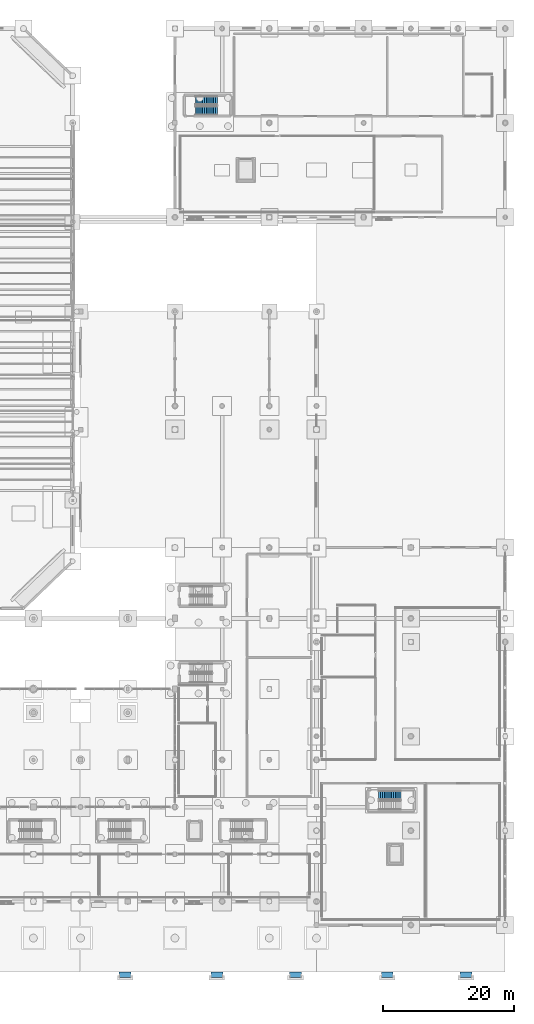
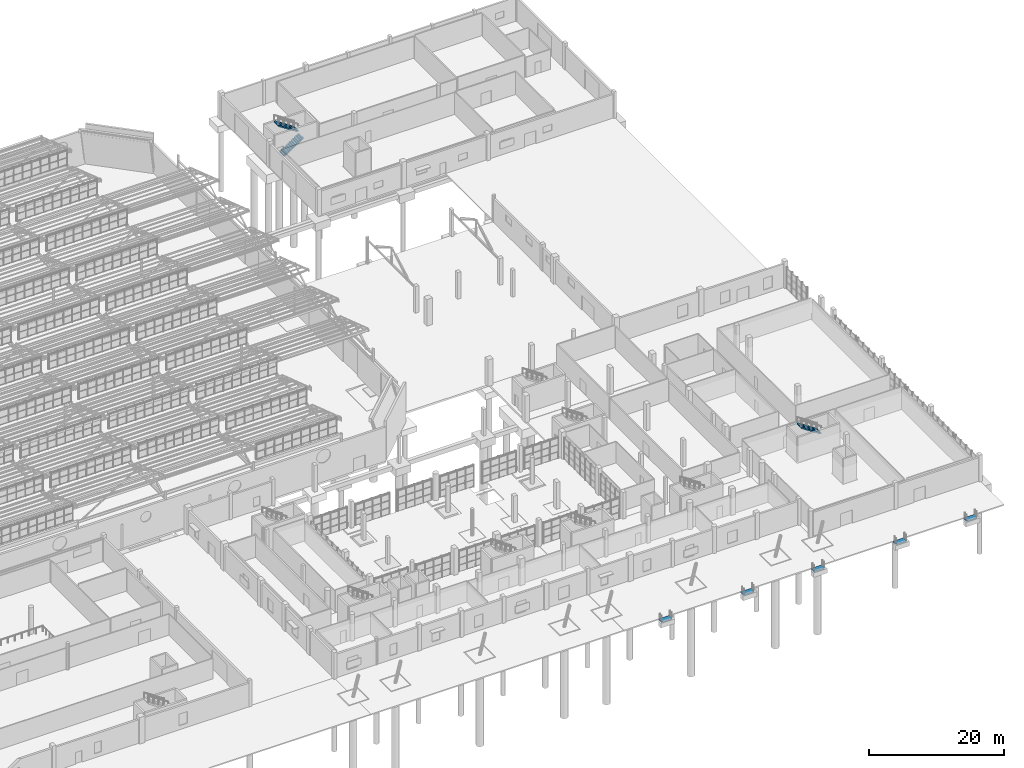
# One storey, part 264 of 285: 5 ramp flights, 3 stair flights, 7 elements without a shape of their own.
"""IFC4 building model written with IfcOpenShell, lengths in metres."""

from ifc_helpers import new_model, si_unit, direction, frame, origin, place, context, subcontext, project, spatial, polyline, outline, extrude, material, layer, layer_set, type_object, element, aggregate, save


model = new_model("IFC4")

# Units and contexts
model_context = context("Model", 3, precision=1e-05, world=origin(), true_north=direction((0.0, 1.0)))
body_context = subcontext(model_context, "Body", "Model", "MODEL_VIEW")
ifc_project = project(units=[si_unit("LENGTHUNIT", "METRE"), si_unit("AREAUNIT", "SQUARE_METRE"), si_unit("VOLUMEUNIT", "CUBIC_METRE"), si_unit("PLANEANGLEUNIT", "RADIAN"), si_unit("MASSUNIT", "GRAM", prefix="KILO")], contexts=[model_context])

# Site, building, storey
site_placement = place(None, origin())
site = spatial("IfcSite", under=ifc_project, at=site_placement, CompositionType="ELEMENT")
building_placement = place(site_placement, origin())
building = spatial("IfcBuilding", under=site, at=building_placement, Name="Solanera Park Tramway Depot", CompositionType="ELEMENT")
storey_placement = place(building_placement, origin())
storey = spatial("IfcBuildingStorey", under=building, at=storey_placement, Name="L00", CompositionType="ELEMENT", Elevation=0.0)

# Stair, stair flight
ifc_material_1 = material(Name="Concrete N40 (C40/50)", Category="concrete")
stair_type = type_object("IfcStairType", Name="Stair Half-Turn Dogleg 4800", PredefinedType="HALF_TURN_STAIR", material=ifc_material_1)
stair_1_placement = place(storey_placement, origin())
stair_1 = element("IfcStair", 1, at=stair_1_placement, inside=storey, type_object=stair_type, Name="ST-10 L00 Half-Turn Stair", PredefinedType="HALF_TURN_STAIR")
ifc_material_2 = material(Name="Concrete N40 (C40/50)", Category="concrete")
stair_flight_type = type_object("IfcStairFlightType", Name="Stair Flight Concrete 1300", PredefinedType="STRAIGHT", material=ifc_material_2)
stair_flight_1_placement = place(storey_placement, frame((200.06005859375, 27.02490234375, 2.39990234375), z_axis=(0.0, 0.0, 1.0), x_axis=(-1.0, 0.0, 0.0)))
stair_flight_1 = element("IfcStairFlight", 2, at=stair_flight_1_placement, type_object=stair_flight_type, Name="ST-10 L00 Stair Flight 2", NumberOfRisers=13, NumberOfTreads=12, PredefinedType="STRAIGHT", RiserHeight=0.184615385, TreadLength=0.28, context=body_context, shape_type="SweptSolid", body=[
    extrude(outline(polyline([(0.0, 0.0), (0.0, 0.1845703125), (0.280029296875, 0.1845703125), (0.280029296875, 0.369140625), (0.56005859375, 0.369140625), (0.56005859375, 0.553955078125), (0.840087890625, 0.553955078125), (0.840087890625, 0.738525390625), (1.1201171875, 0.738525390625), (1.1201171875, 0.923095703125), (1.39990234375, 0.923095703125), (1.39990234375, 1.107666015625), (1.679931640625, 1.107666015625), (1.679931640625, 1.292236328125), (1.9599609375, 1.292236328125), (1.9599609375, 1.476806640625), (2.239990234375, 1.476806640625), (2.239990234375, 1.66162109375), (2.52001953125, 1.66162109375), (2.52001953125, 1.84619140625), (2.800048828125, 1.84619140625), (2.800048828125, 2.03076171875), (3.080078125, 2.03076171875), (3.080078125, 2.21533203125), (3.360107421875, 2.21533203125), (3.360107421875, 2.39990234375), (3.360107421875, 2.02392578125), (0.29052734375, 0.0), (0.0, 0.0)])), frame((0.0, 0.675048828125, 0.0), z_axis=(0.0, -1.0, 0.0), x_axis=(1.0, 0.0, 0.0)), (0.0, 0.0, 1.0), 1.35009765625),
])
aggregate(stair_1, [stair_flight_1])

# Stair, stair flights
stair_2_placement = place(storey_placement, origin())
stair_2 = element("IfcStair", 3, at=stair_2_placement, inside=storey, type_object=stair_type, Name="ST-11 L00 Half-Turn Stair", PredefinedType="HALF_TURN_STAIR")
stair_flight_2_placement = place(storey_placement, frame((168.699951171875, 131.47509765625, 0.0), z_axis=(0.0, 0.0, 1.0), x_axis=(1.0, 0.0, 0.0)))
stair_flight_2 = element("IfcStairFlight", 4, at=stair_flight_2_placement, type_object=stair_flight_type, Name="ST-11 L00 Stair Flight 1", NumberOfRisers=13, NumberOfTreads=12, PredefinedType="STRAIGHT", RiserHeight=0.184615385, TreadLength=0.28, context=body_context, shape_type="SweptSolid", body=[
    extrude(outline(polyline([(0.0, 0.0), (0.0, 0.1845703125), (0.280029296875, 0.1845703125), (0.280029296875, 0.369140625), (0.56005859375, 0.369140625), (0.56005859375, 0.553955078125), (0.840087890625, 0.553955078125), (0.840087890625, 0.738525390625), (1.1201171875, 0.738525390625), (1.1201171875, 0.923095703125), (1.39990234375, 0.923095703125), (1.39990234375, 1.107666015625), (1.679931640625, 1.107666015625), (1.679931640625, 1.292236328125), (1.9599609375, 1.292236328125), (1.9599609375, 1.476806640625), (2.239990234375, 1.476806640625), (2.239990234375, 1.66162109375), (2.52001953125, 1.66162109375), (2.52001953125, 1.84619140625), (2.800048828125, 1.84619140625), (2.800048828125, 2.03076171875), (3.080078125, 2.03076171875), (3.080078125, 2.21533203125), (3.360107421875, 2.21533203125), (3.360107421875, 2.39990234375), (3.360107421875, 2.02392578125), (0.29052734375, 0.0), (0.0, 0.0)])), frame((0.0, 0.675048828125, 0.0), z_axis=(0.0, -1.0, 0.0), x_axis=(1.0, 0.0, 0.0)), (0.0, 0.0, 1.0), 1.35009765625),
])
stair_flight_3_placement = place(storey_placement, frame((172.06005859375, 133.02490234375, 2.39990234375), z_axis=(0.0, 0.0, 1.0), x_axis=(-1.0, 0.0, 0.0)))
stair_flight_3 = element("IfcStairFlight", 5, at=stair_flight_3_placement, type_object=stair_flight_type, Name="ST-11 L00 Stair Flight 2", NumberOfRisers=13, NumberOfTreads=12, PredefinedType="STRAIGHT", RiserHeight=0.184615385, TreadLength=0.28, context=body_context, shape_type="SweptSolid", body=[
    extrude(outline(polyline([(0.0, 0.0), (0.0, 0.1845703125), (0.280029296875, 0.1845703125), (0.280029296875, 0.369140625), (0.56005859375, 0.369140625), (0.56005859375, 0.553955078125), (0.840087890625, 0.553955078125), (0.840087890625, 0.738525390625), (1.1201171875, 0.738525390625), (1.1201171875, 0.923095703125), (1.39990234375, 0.923095703125), (1.39990234375, 1.107666015625), (1.679931640625, 1.107666015625), (1.679931640625, 1.292236328125), (1.9599609375, 1.292236328125), (1.9599609375, 1.476806640625), (2.239990234375, 1.476806640625), (2.239990234375, 1.66162109375), (2.52001953125, 1.66162109375), (2.52001953125, 1.84619140625), (2.800048828125, 1.84619140625), (2.800048828125, 2.03076171875), (3.080078125, 2.03076171875), (3.080078125, 2.21533203125), (3.360107421875, 2.21533203125), (3.360107421875, 2.39990234375), (3.360107421875, 2.02392578125), (0.29052734375, 0.0), (0.0, 0.0)])), frame((0.0, 0.675048828125, 0.0), z_axis=(0.0, -1.0, 0.0), x_axis=(1.0, 0.0, 0.0)), (0.0, 0.0, 1.0), 1.35009765625),
])
aggregate(stair_2, [stair_flight_2, stair_flight_3])

# Ramp, ramp flight
ifc_material_3 = material(Name="Concrete N32 (C32/40)", Category="concrete")
ramp_type = type_object("IfcRampType", Name="Accessible Pedestrian Entry Ramp 1:14", PredefinedType="STRAIGHT_RUN_RAMP", material=ifc_material_3)
ramp_1_placement = place(storey_placement, origin())
ramp_1 = element("IfcRamp", 6, at=ramp_1_placement, inside=storey, type_object=ramp_type, Name="Accessible Entry Ramp RMP-P01", PredefinedType="STRAIGHT_RUN_RAMP")
ifc_material_4 = material(Name="Concrete N32 (C32/40)", Category="concrete")
ifc_layer = layer(ifc_material_4, 0.199951171875)
ifc_layer_set = layer_set([ifc_layer], Name="Concrete N32 (C32/40)")
ramp_flight_type = type_object("IfcRampFlightType", Name="Cast Concrete Ramp Flight 200", PredefinedType="STRAIGHT", material=ifc_layer_set)
ramp_flight_1_placement = place(storey_placement, frame((198.0, -0.840087890625, -0.06005859375), z_axis=(0.0, 0.0, 1.0), x_axis=(0.0, 1.0, 0.0)))
ramp_flight_1 = element("IfcRampFlight", 7, at=ramp_flight_1_placement, type_object=ramp_flight_type, Name="Accessible Pedestrian Ramp Flight RMP-P01", PredefinedType="STRAIGHT", context=body_context, shape_type="SweptSolid", body=[
    extrude(outline(polyline([(0.0, 0.0), (0.0, -0.199951171875), (0.840087890625, -0.139892578125), (0.840087890625, 0.06005859375), (0.0, 0.0)])), frame((0.0, 0.89990234375, 0.0), z_axis=(0.0, -1.0, 0.0), x_axis=(1.0, 0.0, 0.0)), (0.0, 0.0, 1.0), 1.800048828125),
])
aggregate(ramp_1, [ramp_flight_1])

ramp_2_placement = place(storey_placement, origin())
ramp_2 = element("IfcRamp", 8, at=ramp_2_placement, inside=storey, type_object=ramp_type, Name="Accessible Entry Ramp RMP-P02", PredefinedType="STRAIGHT_RUN_RAMP")
ramp_flight_2_placement = place(storey_placement, frame((210.0, -0.840087890625, -0.06005859375), z_axis=(0.0, 0.0, 1.0), x_axis=(0.0, 1.0, 0.0)))
ramp_flight_2 = element("IfcRampFlight", 9, at=ramp_flight_2_placement, type_object=ramp_flight_type, Name="Accessible Pedestrian Ramp Flight RMP-P02", PredefinedType="STRAIGHT", context=body_context, shape_type="SweptSolid", body=[
    extrude(outline(polyline([(0.0, 0.0), (0.0, -0.199951171875), (0.840087890625, -0.139892578125), (0.840087890625, 0.06005859375), (0.0, 0.0)])), frame((0.0, 0.89990234375, 0.0), z_axis=(0.0, -1.0, 0.0), x_axis=(1.0, 0.0, 0.0)), (0.0, 0.0, 1.0), 1.800048828125),
])
aggregate(ramp_2, [ramp_flight_2])

ramp_3_placement = place(storey_placement, origin())
ramp_3 = element("IfcRamp", 10, at=ramp_3_placement, inside=storey, type_object=ramp_type, Name="Accessible Entry Ramp RMP-P03", PredefinedType="STRAIGHT_RUN_RAMP")
ramp_flight_3_placement = place(storey_placement, frame((158.0, -0.840087890625, -0.06005859375), z_axis=(0.0, 0.0, 1.0), x_axis=(0.0, 1.0, 0.0)))
ramp_flight_3 = element("IfcRampFlight", 11, at=ramp_flight_3_placement, type_object=ramp_flight_type, Name="Accessible Pedestrian Ramp Flight RMP-P03", PredefinedType="STRAIGHT", context=body_context, shape_type="SweptSolid", body=[
    extrude(outline(polyline([(0.0, 0.0), (0.0, -0.199951171875), (0.840087890625, -0.139892578125), (0.840087890625, 0.06005859375), (0.0, 0.0)])), frame((0.0, 0.89990234375, 0.0), z_axis=(0.0, -1.0, 0.0), x_axis=(1.0, 0.0, 0.0)), (0.0, 0.0, 1.0), 1.800048828125),
])
aggregate(ramp_3, [ramp_flight_3])

ramp_4_placement = place(storey_placement, origin())
ramp_4 = element("IfcRamp", 12, at=ramp_4_placement, inside=storey, type_object=ramp_type, Name="Accessible Entry Ramp RMP-P04", PredefinedType="STRAIGHT_RUN_RAMP")
ramp_flight_4_placement = place(storey_placement, frame((172.0, -0.840087890625, -0.06005859375), z_axis=(0.0, 0.0, 1.0), x_axis=(0.0, 1.0, 0.0)))
ramp_flight_4 = element("IfcRampFlight", 13, at=ramp_flight_4_placement, type_object=ramp_flight_type, Name="Accessible Pedestrian Ramp Flight RMP-P04", PredefinedType="STRAIGHT", context=body_context, shape_type="SweptSolid", body=[
    extrude(outline(polyline([(0.0, 0.0), (0.0, -0.199951171875), (0.840087890625, -0.139892578125), (0.840087890625, 0.06005859375), (0.0, 0.0)])), frame((0.0, 0.89990234375, 0.0), z_axis=(0.0, -1.0, 0.0), x_axis=(1.0, 0.0, 0.0)), (0.0, 0.0, 1.0), 1.800048828125),
])
aggregate(ramp_4, [ramp_flight_4])

ramp_5_placement = place(storey_placement, origin())
ramp_5 = element("IfcRamp", 14, at=ramp_5_placement, inside=storey, type_object=ramp_type, Name="Accessible Entry Ramp RMP-P05", PredefinedType="STRAIGHT_RUN_RAMP")
ramp_flight_5_placement = place(storey_placement, frame((184.0, -0.840087890625, -0.06005859375), z_axis=(0.0, 0.0, 1.0), x_axis=(0.0, 1.0, 0.0)))
ramp_flight_5 = element("IfcRampFlight", 15, at=ramp_flight_5_placement, type_object=ramp_flight_type, Name="Accessible Pedestrian Ramp Flight RMP-P05", PredefinedType="STRAIGHT", context=body_context, shape_type="SweptSolid", body=[
    extrude(outline(polyline([(0.0, 0.0), (0.0, -0.199951171875), (0.840087890625, -0.139892578125), (0.840087890625, 0.06005859375), (0.0, 0.0)])), frame((0.0, 0.89990234375, 0.0), z_axis=(0.0, -1.0, 0.0), x_axis=(1.0, 0.0, 0.0)), (0.0, 0.0, 1.0), 1.800048828125),
])
aggregate(ramp_5, [ramp_flight_5])

save(model, "model.ifc")
